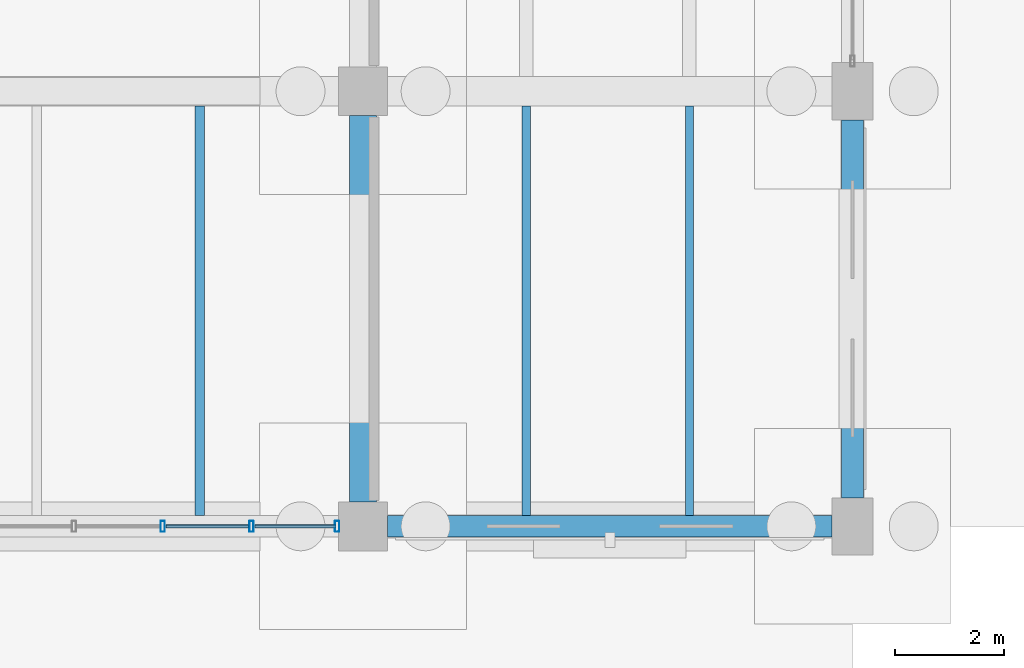
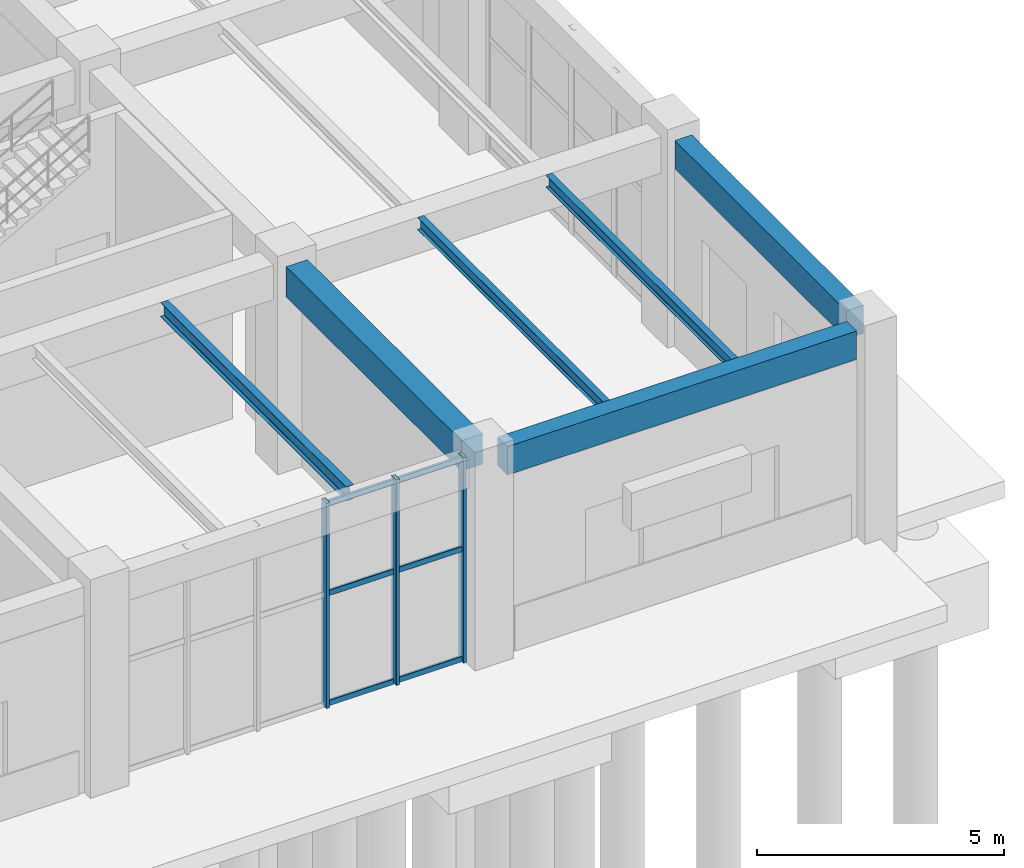
# One storey, part 61 of 121: 9 members, 6 beams, 1 element without a shape of its own.
"""IFC4 building model written with IfcOpenShell, lengths in metres."""

from ifc_helpers import new_model, si_unit, derived_unit, direction, frame, origin, origin_2d, place, context, subcontext, project, spatial, rectangle, hollow_rectangle, i_section, extrude, material, material_profile, profile_set, type_object, element, aggregate, save


model = new_model("IFC4")

# Units and contexts
model_context = context("Model", 3, precision=1e-05, world=origin(), true_north=direction((0.0, 1.0)))
body_context = subcontext(model_context, "Body", "Model", "MODEL_VIEW")
ifc_project = project(units=[si_unit("LENGTHUNIT", "METRE"), si_unit("AREAUNIT", "SQUARE_METRE"), si_unit("VOLUMEUNIT", "CUBIC_METRE"), si_unit("PLANEANGLEUNIT", "RADIAN"), si_unit("MASSUNIT", "GRAM", prefix="KILO"), derived_unit("THERMALTRANSMITTANCEUNIT", [(si_unit("MASSUNIT", "GRAM", prefix="KILO"), 1), (si_unit("TIMEUNIT", "SECOND"), -3), (si_unit("THERMODYNAMICTEMPERATUREUNIT", "KELVIN"), -1)])], contexts=[model_context])

# Site, building, storey
site_placement = place(None, origin())
site = spatial("IfcSite", under=ifc_project, at=site_placement, CompositionType="ELEMENT")
building_placement = place(site_placement, origin())
building = spatial("IfcBuilding", under=site, at=building_placement, Name="Zhenchuan Archway Interchange", CompositionType="ELEMENT")
storey_placement = place(building_placement, origin())
storey = spatial("IfcBuildingStorey", under=building, at=storey_placement, Name="L00", CompositionType="ELEMENT", Elevation=0.0)

# Beam
ifc_material_1 = material(Name="Concrete C40", Category="concrete")
ifc_material_profile_1 = material_profile(ifc_material_1, rectangle(XDim=0.5, YDim=0.75, at=origin_2d()), Name="RC 500x750")
ifc_profile_set_1 = profile_set([ifc_material_profile_1], Name="Concrete C40")
beam_type_1 = type_object("IfcBeamType", Name="BM_RC_500x750", PredefinedType="BEAM", material=ifc_profile_set_1)
beam_1_placement = place(storey_placement, frame((162.0, 8.449951171875, 4.705078125), z_axis=(0.0, 1.0, 0.0), x_axis=(-1.0, 0.0, 0.0)))
element("IfcBeam", 1, at=beam_1_placement, inside=storey, type_object=beam_type_1, Name="Beam 19:B-C (L00)", PredefinedType="BEAM", context=body_context, shape_type="SweptSolid", body=[
    extrude(rectangle(XDim=0.5, YDim=0.75, at=origin_2d()), origin(), (0.0, 0.0, 1.0), 7.10009765625),
])

# Curtain wall, members
ifc_material_2 = material(Name="Anodised Aluminium", Category="aluminium")
curtain_wall_type = type_object("IfcCurtainWallType", Name="CW_UNIT_1", PredefinedType="NOTDEFINED", material=ifc_material_2)
curtain_wall_placement = place(storey_placement, origin())
curtain_wall = element("IfcCurtainWall", 2, at=curtain_wall_placement, inside=storey, type_object=curtain_wall_type, Name="Unitised curtain wall CW:L00:016", PredefinedType="NOTDEFINED")
ifc_material_profile_2 = material_profile(ifc_material_2, hollow_rectangle(XDim=0.080078125, YDim=0.199951171875, WallThickness=0.00439453125, InnerFilletRadius=0.00439453125, OuterFilletRadius=0.009033203125, at=origin_2d()), Name="ALU 200x80x4.5")
ifc_profile_set_2 = profile_set([ifc_material_profile_2], Name="Anodised Aluminium")
member_type_1 = type_object("IfcMemberType", Name="CW_MUL_200", PredefinedType="MULLION", material=ifc_profile_set_2)
member_1_placement = place(storey_placement, frame((161.52197265625, 8.0, 0.0), z_axis=(0.0, 0.0, 1.0), x_axis=(1.0, 0.0, 0.0)))
member_1 = element("IfcMember", 3, at=member_1_placement, type_object=member_type_1, Name="CW:L00:016 mullion 0", PredefinedType="MULLION", context=body_context, shape_type="SweptSolid", body=[
    extrude(hollow_rectangle(XDim=0.080078125, YDim=0.199951171875, WallThickness=0.00439453125, InnerFilletRadius=0.00439453125, OuterFilletRadius=0.009033203125, at=origin_2d()), origin(), (0.0, 0.0, 1.0), 5.080078125),
])
member_2_placement = place(storey_placement, frame((159.94921875, 8.0, 0.0), z_axis=(0.0, 0.0, 1.0), x_axis=(1.0, 0.0, 0.0)))
member_2 = element("IfcMember", 4, at=member_2_placement, type_object=member_type_1, Name="CW:L00:016 mullion 1", PredefinedType="MULLION", context=body_context, shape_type="SweptSolid", body=[
    extrude(hollow_rectangle(XDim=0.080078125, YDim=0.199951171875, WallThickness=0.00439453125, InnerFilletRadius=0.00439453125, OuterFilletRadius=0.009033203125, at=origin_2d()), origin(), (0.0, 0.0, 1.0), 5.080078125),
])
member_3_placement = place(storey_placement, frame((158.31640625, 8.0, 0.0), z_axis=(0.0, 0.0, 1.0), x_axis=(1.0, 0.0, 0.0)))
member_3 = element("IfcMember", 5, at=member_3_placement, type_object=member_type_1, Name="CW:L00:016 mullion 2", PredefinedType="MULLION", context=body_context, shape_type="SweptSolid", body=[
    extrude(hollow_rectangle(XDim=0.080078125, YDim=0.199951171875, WallThickness=0.00439453125, InnerFilletRadius=0.00439453125, OuterFilletRadius=0.009033203125, at=origin_2d()), origin(), (0.0, 0.0, 1.0), 5.080078125),
])
ifc_material_profile_3 = material_profile(ifc_material_2, hollow_rectangle(XDim=0.06005859375, YDim=0.139892578125, WallThickness=0.00341796875, InnerFilletRadius=0.00341796875, OuterFilletRadius=0.007080078125, at=origin_2d()), Name="ALU 140x60x3.5")
ifc_profile_set_3 = profile_set([ifc_material_profile_3], Name="Anodised Aluminium")
member_type_2 = type_object("IfcMemberType", Name="CW_TRN_140", PredefinedType="USERDEFINED", material=ifc_profile_set_3)
member_4_placement = place(storey_placement, frame((161.501953125, 8.0, 0.06005859375), z_axis=(-1.0, 0.0, 0.0), x_axis=(0.0, -1.0, 0.0)))
member_4 = element("IfcMember", 6, at=member_4_placement, type_object=member_type_2, Name="CW:L00:016 transom 0-1", ObjectType="TRANSOM", PredefinedType="USERDEFINED", context=body_context, shape_type="SweptSolid", body=[
    extrude(hollow_rectangle(XDim=0.06005859375, YDim=0.139892578125, WallThickness=0.00341796875, InnerFilletRadius=0.00341796875, OuterFilletRadius=0.007080078125, at=origin_2d()), origin(), (0.0, 0.0, 1.0), 1.49267578125),
])
member_5_placement = place(storey_placement, frame((161.501953125, 8.0, 2.782958984375), z_axis=(-1.0, 0.0, 0.0), x_axis=(0.0, -1.0, 0.0)))
member_5 = element("IfcMember", 7, at=member_5_placement, type_object=member_type_2, Name="CW:L00:016 transom 0-2", ObjectType="TRANSOM", PredefinedType="USERDEFINED", context=body_context, shape_type="SweptSolid", body=[
    extrude(hollow_rectangle(XDim=0.06005859375, YDim=0.139892578125, WallThickness=0.00341796875, InnerFilletRadius=0.00341796875, OuterFilletRadius=0.007080078125, at=origin_2d()), origin(), (0.0, 0.0, 1.0), 1.49267578125),
])
member_6_placement = place(storey_placement, frame((161.501953125, 8.0, 5.0), z_axis=(-1.0, 0.0, 0.0), x_axis=(0.0, -1.0, 0.0)))
member_6 = element("IfcMember", 8, at=member_6_placement, type_object=member_type_2, Name="CW:L00:016 transom 0-3", ObjectType="TRANSOM", PredefinedType="USERDEFINED", context=body_context, shape_type="SweptSolid", body=[
    extrude(hollow_rectangle(XDim=0.06005859375, YDim=0.139892578125, WallThickness=0.00341796875, InnerFilletRadius=0.00341796875, OuterFilletRadius=0.007080078125, at=origin_2d()), origin(), (0.0, 0.0, 1.0), 1.49267578125),
])
member_7_placement = place(storey_placement, frame((159.88916015625, 8.0, 0.06005859375), z_axis=(-1.0, 0.0, 0.0), x_axis=(0.0, -1.0, 0.0)))
member_7 = element("IfcMember", 9, at=member_7_placement, type_object=member_type_2, Name="CW:L00:016 transom 1-1", ObjectType="TRANSOM", PredefinedType="USERDEFINED", context=body_context, shape_type="SweptSolid", body=[
    extrude(hollow_rectangle(XDim=0.06005859375, YDim=0.139892578125, WallThickness=0.00341796875, InnerFilletRadius=0.00341796875, OuterFilletRadius=0.007080078125, at=origin_2d()), origin(), (0.0, 0.0, 1.0), 1.5126953125),
])
member_8_placement = place(storey_placement, frame((159.88916015625, 8.0, 2.782958984375), z_axis=(-1.0, 0.0, 0.0), x_axis=(0.0, -1.0, 0.0)))
member_8 = element("IfcMember", 10, at=member_8_placement, type_object=member_type_2, Name="CW:L00:016 transom 1-2", ObjectType="TRANSOM", PredefinedType="USERDEFINED", context=body_context, shape_type="SweptSolid", body=[
    extrude(hollow_rectangle(XDim=0.06005859375, YDim=0.139892578125, WallThickness=0.00341796875, InnerFilletRadius=0.00341796875, OuterFilletRadius=0.007080078125, at=origin_2d()), origin(), (0.0, 0.0, 1.0), 1.5126953125),
])
member_9_placement = place(storey_placement, frame((159.88916015625, 8.0, 5.0), z_axis=(-1.0, 0.0, 0.0), x_axis=(0.0, -1.0, 0.0)))
member_9 = element("IfcMember", 11, at=member_9_placement, type_object=member_type_2, Name="CW:L00:016 transom 1-3", ObjectType="TRANSOM", PredefinedType="USERDEFINED", context=body_context, shape_type="SweptSolid", body=[
    extrude(hollow_rectangle(XDim=0.06005859375, YDim=0.139892578125, WallThickness=0.00341796875, InnerFilletRadius=0.00341796875, OuterFilletRadius=0.007080078125, at=origin_2d()), origin(), (0.0, 0.0, 1.0), 1.5126953125),
])
aggregate(curtain_wall, [member_1, member_2, member_3, member_4, member_5, member_6, member_7, member_8, member_9])

# Beams
ifc_material_3 = material(Name="Steel Q355", Category="steel")
ifc_material_profile_4 = material_profile(ifc_material_3, i_section(OverallWidth=0.14990234375, OverallDepth=0.300048828125, WebThickness=0.006591796875, FlangeThickness=0.009033203125, FilletRadius=0.012939453125, at=origin_2d()), Name="HN 300x150")
ifc_profile_set_4 = profile_set([ifc_material_profile_4], Name="Steel Q355")
beam_type_2 = type_object("IfcBeamType", Name="JST_STL_HN300", PredefinedType="JOIST", material=ifc_profile_set_4)
for number, where, z_axis, x_axis, name in (
    (12, (165.0, 8.199951171875, 4.929931640625), (0.0, 1.0, 0.0), (-1.0, 0.0, 0.0), "Secondary joist 19-20/B-C #1 (L00)"),
    (13, (168.0, 8.199951171875, 4.929931640625), (0.0, 1.0, 0.0), (-1.0, 0.0, 0.0), "Secondary joist 19-20/B-C #2 (L00)"),
):
    element("IfcBeam", number, at=place(storey_placement, frame(where, z_axis=z_axis, x_axis=x_axis)), inside=storey, type_object=beam_type_2, Name=name, PredefinedType="JOIST", context=body_context, shape_type="SweptSolid", body=[
        extrude(i_section(OverallWidth=0.14990234375, OverallDepth=0.300048828125, WebThickness=0.006591796875, FlangeThickness=0.009033203125, FilletRadius=0.012939453125, at=origin_2d()), origin(), (0.0, 0.0, 1.0), 7.525146484375),
    ])
ifc_material_profile_5 = material_profile(ifc_material_3, i_section(OverallWidth=0.175048828125, OverallDepth=0.35009765625, WebThickness=0.007080078125, FlangeThickness=0.010986328125, FilletRadius=0.013916015625, at=origin_2d()), Name="HN 350x175")
ifc_profile_set_5 = profile_set([ifc_material_profile_5], Name="Steel Q355")
beam_type_3 = type_object("IfcBeamType", Name="JST_STL_HN350", PredefinedType="JOIST", material=ifc_profile_set_5)
beam_2_placement = place(storey_placement, frame((159.0, 8.199951171875, 4.905029296875), z_axis=(0.0, 1.0, 0.0), x_axis=(-1.0, 0.0, 0.0)))
element("IfcBeam", 14, at=beam_2_placement, inside=storey, type_object=beam_type_3, Name="Secondary joist 18-19/B-C #2 (L00)", PredefinedType="JOIST", context=body_context, shape_type="SweptSolid", body=[
    extrude(i_section(OverallWidth=0.175048828125, OverallDepth=0.35009765625, WebThickness=0.007080078125, FlangeThickness=0.010986328125, FilletRadius=0.013916015625, at=origin_2d()), origin(), (0.0, 0.0, 1.0), 7.525146484375),
])
ifc_material_profile_6 = material_profile(ifc_material_1, rectangle(XDim=0.39990234375, YDim=0.699951171875, at=origin_2d()), Name="RC 400x700")
ifc_profile_set_6 = profile_set([ifc_material_profile_6], Name="Concrete C40")
beam_type_4 = type_object("IfcBeamType", Name="SP_RC_400x700", PredefinedType="SPANDREL", material=ifc_profile_set_6)
beam_3_placement = place(storey_placement, frame((162.449951171875, 8.0, 4.72998046875), z_axis=(1.0, 0.0, 0.0), x_axis=(0.0, 1.0, 0.0)))
element("IfcBeam", 15, at=beam_3_placement, inside=storey, type_object=beam_type_4, Name="Beam B:19-20 (L00)", PredefinedType="SPANDREL", context=body_context, shape_type="SweptSolid", body=[
    extrude(rectangle(XDim=0.39990234375, YDim=0.699951171875, at=origin_2d()), origin(), (0.0, 0.0, 1.0), 8.175048828125),
])
beam_4_placement = place(storey_placement, frame((171.0, 8.52490234375, 4.72998046875), z_axis=(0.0, 1.0, 0.0), x_axis=(-1.0, 0.0, 0.0)))
element("IfcBeam", 16, at=beam_4_placement, inside=storey, type_object=beam_type_4, Name="Beam 20:B-C (L00)", PredefinedType="SPANDREL", context=body_context, shape_type="SweptSolid", body=[
    extrude(rectangle(XDim=0.39990234375, YDim=0.699951171875, at=origin_2d()), origin(), (0.0, 0.0, 1.0), 6.9501953125),
])

save(model, "model.ifc")
